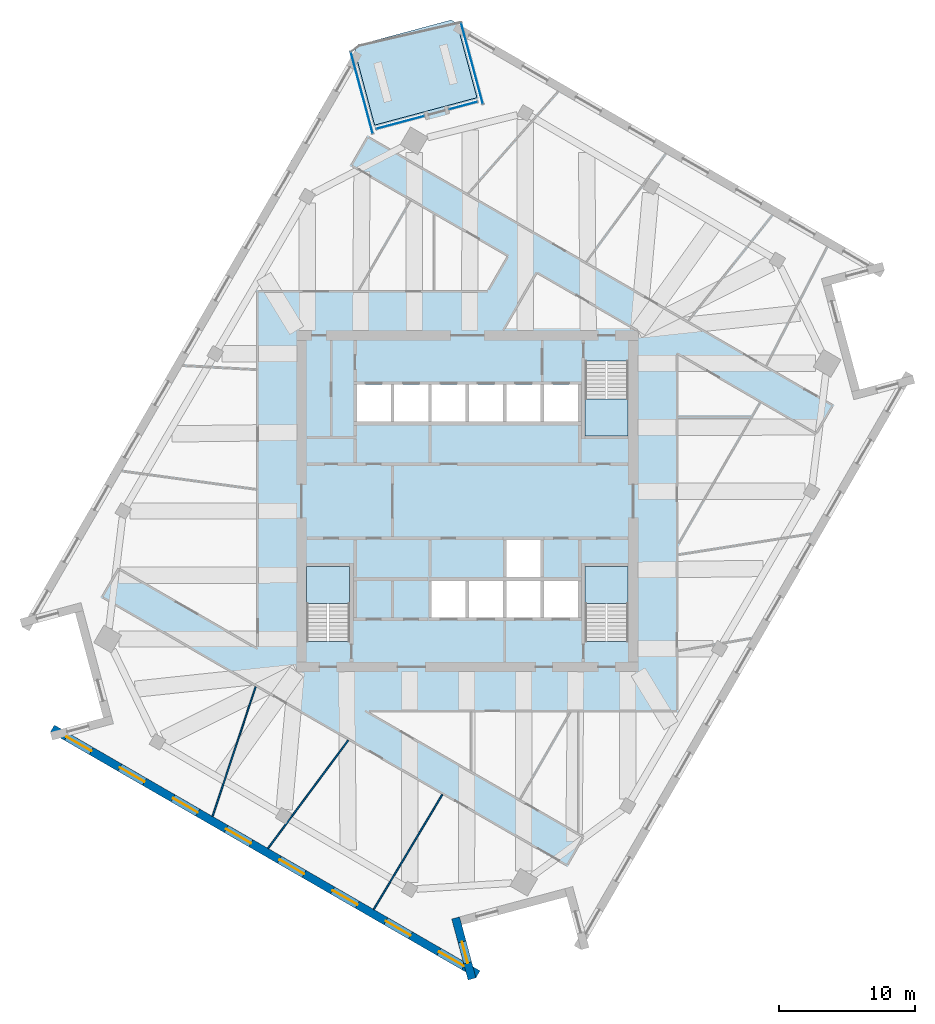
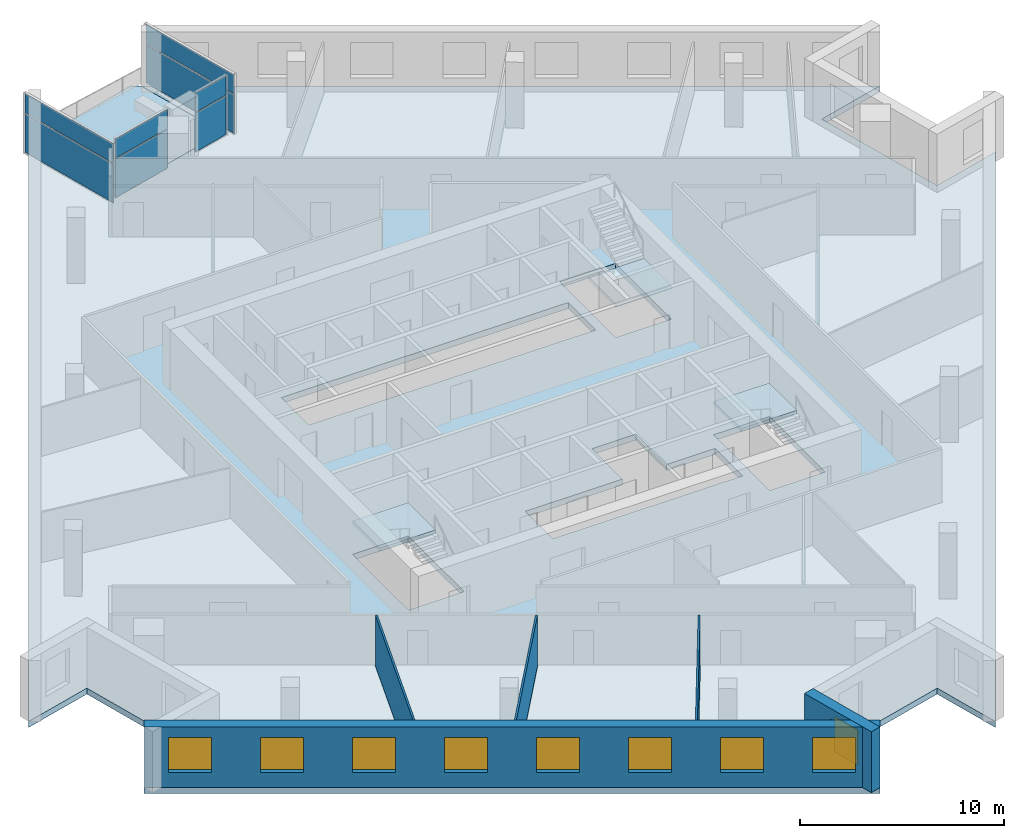
# One storey, part 5 of 13: 9 windows, 8 plates, 5 slabs, 5 walls, 9 openings, 7 elements without a shape of their own.
"""IFC4 building model written with IfcOpenShell, lengths in metres."""

from ifc_helpers import new_model, si_unit, direction, frame, frame_2d, origin, origin_2d, place, context, subcontext, project, spatial, polyline, rectangle, outline, extrude, material, layer, layer_set, type_object, element, fill, aggregate, save


model = new_model("IFC4")

# Units and contexts
model_context = context("Model", 3, precision=1e-05, world=origin(), true_north=direction((0.0, 1.0)))
body_context = subcontext(model_context, "Body", "Model", "MODEL_VIEW")
ifc_project = project(units=[si_unit("LENGTHUNIT", "METRE"), si_unit("AREAUNIT", "SQUARE_METRE"), si_unit("VOLUMEUNIT", "CUBIC_METRE"), si_unit("PLANEANGLEUNIT", "RADIAN"), si_unit("MASSUNIT", "GRAM", prefix="KILO")], contexts=[model_context])

# Site, building, storey
site_placement = place(None, origin())
site = spatial("IfcSite", under=ifc_project, at=site_placement, CompositionType="ELEMENT")
building_placement = place(site_placement, origin())
building = spatial("IfcBuilding", under=site, at=building_placement, Name="Dilmun Exchange Tower", CompositionType="ELEMENT")
storey_placement = place(building_placement, frame((0.0, 0.0, 262.89990234375)))
storey = spatial("IfcBuildingStorey", under=building, at=storey_placement, Name="L62", CompositionType="ELEMENT", Elevation=262.89990234375)

# Stair, slab
ifc_material_1 = material(Name="Concrete C40/50", Category="concrete")
stair_type = type_object("IfcStairType", Name="Exit stair 1500 half-turn", PredefinedType="HALF_TURN_STAIR", material=ifc_material_1)
stair_1_placement = place(storey_placement, origin())
stair_1 = element("IfcStair", 1, at=stair_1_placement, inside=storey, type_object=stair_type, Name="L62 Protected exit stair ST1", PredefinedType="HALF_TURN_STAIR")
ifc_layer_1 = layer(ifc_material_1, 0.199951171875)
ifc_layer_set_1 = layer_set([ifc_layer_1], Name="Concrete C40/50")
slab_type_1 = type_object("IfcSlabType", Name="Exit stair landing 200", PredefinedType="LANDING", material=ifc_layer_set_1)
slab_1_placement = place(storey_placement, frame((0.0, 0.0, 1.800048828125)))
slab_1 = element("IfcSlab", 2, at=slab_1_placement, type_object=slab_type_1, Name="ST1 landing 1", PredefinedType="LANDING", context=body_context, shape_type="SweptSolid", body=[
    extrude(outline(polyline([(8.64990234375, 7.5), (8.64990234375, 4.800048828125), (11.800048828125, 4.800048828125), (11.800048828125, 7.5), (8.64990234375, 7.5)])), origin(), (0.0, 0.0, 1.0), 0.199951171875),
])
aggregate(stair_1, [slab_1])

stair_2_placement = place(storey_placement, origin())
stair_2 = element("IfcStair", 3, at=stair_2_placement, inside=storey, type_object=stair_type, Name="L62 Protected exit stair ST2", PredefinedType="HALF_TURN_STAIR")
slab_2_placement = place(storey_placement, frame((0.0, 0.0, 1.800048828125)))
slab_2 = element("IfcSlab", 4, at=slab_2_placement, type_object=slab_type_1, Name="ST2 landing 1", PredefinedType="LANDING", context=body_context, shape_type="SweptSolid", body=[
    extrude(outline(polyline([(-8.64990234375, -7.5), (-8.64990234375, -4.800048828125), (-11.800048828125, -4.800048828125), (-11.800048828125, -7.5), (-8.64990234375, -7.5)])), origin(), (0.0, 0.0, 1.0), 0.199951171875),
])
aggregate(stair_2, [slab_2])

stair_3_placement = place(storey_placement, origin())
stair_3 = element("IfcStair", 5, at=stair_3_placement, inside=storey, type_object=stair_type, Name="L62 Protected exit stair ST3", PredefinedType="HALF_TURN_STAIR")
slab_3_placement = place(storey_placement, frame((0.0, 0.0, 1.800048828125)))
slab_3 = element("IfcSlab", 6, at=slab_3_placement, type_object=slab_type_1, Name="ST3 landing 1", PredefinedType="LANDING", context=body_context, shape_type="SweptSolid", body=[
    extrude(outline(polyline([(11.800048828125, -7.5), (11.800048828125, -4.800048828125), (8.64990234375, -4.800048828125), (8.64990234375, -7.5), (11.800048828125, -7.5)])), origin(), (0.0, 0.0, 1.0), 0.199951171875),
])
aggregate(stair_3, [slab_3])

# Curtain wall, plates
ifc_material_2 = material(Name="Anodised aluminium and clear glass", Category="aluminium")
curtain_wall_type = type_object("IfcCurtainWallType", Name="Garden corner glazing", PredefinedType="NOTDEFINED", material=ifc_material_2)
curtain_wall_1_placement = place(storey_placement, origin())
curtain_wall_1 = element("IfcCurtainWall", 7, at=curtain_wall_1_placement, inside=storey, type_object=curtain_wall_type, Name="Garden corner glazing run GC1.1", PredefinedType="NOTDEFINED")
ifc_material_3 = material(Name="Clear glass", Category="glass")
ifc_layer_2 = layer(ifc_material_3, 0.028076171875)
ifc_layer_set_2 = layer_set([ifc_layer_2], Name="Clear glass")
plate_type = type_object("IfcPlateType", Name="Garden corner glazing glass panel 28", PredefinedType="CURTAIN_PANEL", material=ifc_layer_set_2)
plate_1_placement = place(storey_placement, frame((0.33642578125, 32.1416015625, 0.06005859375), z_axis=(0.0, 0.0, 1.0), x_axis=(0.258819306883, -0.965925756145, 0.0)))
plate_1 = element("IfcPlate", 8, at=plate_1_placement, type_object=plate_type, Name="GC1.1 panel 1.1", PredefinedType="CURTAIN_PANEL", context=body_context, shape_type="SweptSolid", body=[
    extrude(rectangle(XDim=6.12646484375, YDim=0.028076171875, at=origin_2d()), origin(), (0.0, 0.0, 1.0), 2.31005859375),
])
plate_2_placement = place(storey_placement, frame((0.33642578125, 32.1416015625, 2.43017578125), z_axis=(0.0, 0.0, 1.0), x_axis=(0.258819306883, -0.965925756145, 0.0)))
plate_2 = element("IfcPlate", 9, at=plate_2_placement, type_object=plate_type, Name="GC1.1 panel 1.2", PredefinedType="CURTAIN_PANEL", context=body_context, shape_type="SweptSolid", body=[
    extrude(rectangle(XDim=6.12646484375, YDim=0.028076171875, at=origin_2d()), origin(), (0.0, 0.0, 1.0), 1.14990234375),
])
aggregate(curtain_wall_1, [plate_1, plate_2])

curtain_wall_2_placement = place(storey_placement, origin())
curtain_wall_2 = element("IfcCurtainWall", 10, at=curtain_wall_2_placement, inside=storey, type_object=curtain_wall_type, Name="Garden corner glazing run GC2.1", PredefinedType="NOTDEFINED")
plate_3_placement = place(storey_placement, frame((-0.303955078125, 29.047119140625, 0.06005859375), z_axis=(0.0, 0.0, 1.0), x_axis=(-0.965928116621, -0.258810497317, 0.0)))
plate_3 = element("IfcPlate", 11, at=plate_3_placement, type_object=plate_type, Name="GC2.1 panel 1.1", PredefinedType="CURTAIN_PANEL", context=body_context, shape_type="SweptSolid", body=[
    extrude(rectangle(XDim=2.119140625, YDim=0.028076171875, at=origin_2d()), origin(), (0.0, 0.0, 1.0), 2.31005859375),
])
plate_4_placement = place(storey_placement, frame((-0.303955078125, 29.047119140625, 2.43017578125), z_axis=(0.0, 0.0, 1.0), x_axis=(-0.965928116621, -0.258810497317, 0.0)))
plate_4 = element("IfcPlate", 12, at=plate_4_placement, type_object=plate_type, Name="GC2.1 panel 1.2", PredefinedType="CURTAIN_PANEL", context=body_context, shape_type="SweptSolid", body=[
    extrude(rectangle(XDim=2.119140625, YDim=0.028076171875, at=origin_2d()), origin(), (0.0, 0.0, 1.0), 1.14990234375),
])
aggregate(curtain_wall_2, [plate_3, plate_4])

curtain_wall_3_placement = place(storey_placement, origin())
curtain_wall_3 = element("IfcCurtainWall", 13, at=curtain_wall_3_placement, inside=storey, type_object=curtain_wall_type, Name="Garden corner glazing run GC2.3", PredefinedType="NOTDEFINED")
plate_5_placement = place(storey_placement, frame((-4.929931640625, 27.8076171875, 0.06005859375), z_axis=(0.0, 0.0, 1.0), x_axis=(-0.965927518126, -0.258812731, 0.0)))
plate_5 = element("IfcPlate", 14, at=plate_5_placement, type_object=plate_type, Name="GC2.3 panel 1.1", PredefinedType="CURTAIN_PANEL", context=body_context, shape_type="SweptSolid", body=[
    extrude(rectangle(XDim=3.618896484375, YDim=0.028076171875, at=origin_2d()), origin(), (0.0, 0.0, 1.0), 2.31005859375),
])
plate_6_placement = place(storey_placement, frame((-4.929931640625, 27.8076171875, 2.43017578125), z_axis=(0.0, 0.0, 1.0), x_axis=(-0.965927518126, -0.258812731, 0.0)))
plate_6 = element("IfcPlate", 15, at=plate_6_placement, type_object=plate_type, Name="GC2.3 panel 1.2", PredefinedType="CURTAIN_PANEL", context=body_context, shape_type="SweptSolid", body=[
    extrude(rectangle(XDim=3.618896484375, YDim=0.028076171875, at=origin_2d()), origin(), (0.0, 0.0, 1.0), 1.14990234375),
])
aggregate(curtain_wall_3, [plate_5, plate_6])

curtain_wall_4_placement = place(storey_placement, origin())
curtain_wall_4 = element("IfcCurtainWall", 16, at=curtain_wall_4_placement, inside=storey, type_object=curtain_wall_type, Name="Garden corner glazing run GC3.1", PredefinedType="NOTDEFINED")
plate_7_placement = place(storey_placement, frame((-7.75634765625, 29.97314453125, 0.06005859375), z_axis=(0.0, 0.0, 1.0), x_axis=(-0.258819306883, 0.965925756145, 0.0)))
plate_7 = element("IfcPlate", 17, at=plate_7_placement, type_object=plate_type, Name="GC3.1 panel 1.1", PredefinedType="CURTAIN_PANEL", context=body_context, shape_type="SweptSolid", body=[
    extrude(rectangle(XDim=6.12646484375, YDim=0.028076171875, at=origin_2d()), origin(), (0.0, 0.0, 1.0), 2.31005859375),
])
plate_8_placement = place(storey_placement, frame((-7.75634765625, 29.97314453125, 2.43017578125), z_axis=(0.0, 0.0, 1.0), x_axis=(-0.258819306883, 0.965925756145, 0.0)))
plate_8 = element("IfcPlate", 18, at=plate_8_placement, type_object=plate_type, Name="GC3.1 panel 1.2", PredefinedType="CURTAIN_PANEL", context=body_context, shape_type="SweptSolid", body=[
    extrude(rectangle(XDim=6.12646484375, YDim=0.028076171875, at=origin_2d()), origin(), (0.0, 0.0, 1.0), 1.14990234375),
])
aggregate(curtain_wall_4, [plate_7, plate_8])

# Slabs
ifc_layer_3 = layer(ifc_material_1, 0.360107421875)
ifc_layer_set_3 = layer_set([ifc_layer_3], Name="Concrete C40/50")
slab_type_2 = type_object("IfcSlabType", Name="RC floor slab 360", PredefinedType="FLOOR", material=ifc_layer_set_3)
slab_4_placement = place(storey_placement, frame((0.0, 0.0, -0.35986328125)))
element("IfcSlab", 19, at=slab_4_placement, inside=storey, type_object=slab_type_2, Name="Floor slab", PredefinedType="FLOOR", context=body_context, shape_type="SweptSolid", body=[
    extrude(outline(polyline([(26.727783203125, 15.914794921875), (28.79833984375, 8.187255859375), (32.6962890625, 9.231689453125), (8.353271484375, -32.931884765625), (7.308837890625, -29.03369140625), (-0.418701171875, -31.104248046875), (0.625732421875, -35.002197265625), (-30.625732421875, -16.959228515625), (-26.727783203125, -15.914794921875), (-28.79833984375, -8.187255859375), (-32.6962890625, -9.231689453125), (-8.27490234375, 33.067626953125), (-6.8134765625, 27.613525390625), (0.69970703125, 29.626708984375), (-0.76171875, 35.080810546875), (30.625732421875, 16.959228515625), (26.727783203125, 15.914794921875)]), holes=[polyline([(-8.64990234375, -4.800048828125), (-11.800048828125, -4.800048828125), (-11.800048828125, -10.294921875), (-8.64990234375, -10.294921875), (-8.64990234375, -4.800048828125)]), polyline([(11.800048828125, -4.800048828125), (8.64990234375, -4.800048828125), (8.64990234375, -10.294921875), (11.800048828125, -10.294921875), (11.800048828125, -4.800048828125)]), polyline([(2.875, -5.85009765625), (-2.625, -5.85009765625), (-2.625, -8.550048828125), (8.125, -8.550048828125), (8.125, -5.85009765625), (5.375, -5.85009765625), (5.375, -2.85009765625), (2.875, -2.85009765625), (2.875, -5.85009765625)]), polyline([(8.125, 5.85009765625), (8.125, 8.550048828125), (-8.125, 8.550048828125), (-8.125, 5.85009765625), (8.125, 5.85009765625)]), polyline([(8.64990234375, 10.294921875), (8.64990234375, 4.800048828125), (11.800048828125, 4.800048828125), (11.800048828125, 10.294921875), (8.64990234375, 10.294921875)])]), origin(), (0.0, 0.0, 1.0), 0.35986328125),
])
ifc_layer_4 = layer(ifc_material_1, 0.300048828125)
ifc_layer_set_4 = layer_set([ifc_layer_4], Name="Concrete C40/50")
slab_type_3 = type_object("IfcSlabType", Name="RC garden terrace slab 300", PredefinedType="FLOOR", material=ifc_layer_set_4)
slab_5_placement = place(storey_placement, frame((0.0, 0.0, -0.2998046875)))
element("IfcSlab", 20, at=slab_5_placement, inside=storey, type_object=slab_type_3, Name="Garden terrace slab", PredefinedType="FLOOR", context=body_context, shape_type="SweptSolid", body=[
    extrude(outline(polyline([(-6.8134765625, 27.613525390625), (-8.27490234375, 33.067626953125), (-8.02490234375, 33.50048828125), (-1.194580078125, 35.330810546875), (-0.76171875, 35.080810546875), (0.69970703125, 29.626708984375), (-6.8134765625, 27.613525390625)])), origin(), (0.0, 0.0, 1.0), 0.2998046875),
])

# Walls
ifc_material_4 = material(Name="Partition 100")
ifc_layer_5 = layer(ifc_material_4, 0.10009765625)
ifc_layer_set_5 = layer_set([ifc_layer_5], Name="Partition 100")
wall_type_1 = type_object("IfcWallType", Name="Partition 100", PredefinedType="PARTITIONING", material=ifc_layer_set_5)
wall_1_placement = place(storey_placement, frame((-18.711181640625, -23.142822265625, 0.0), z_axis=(0.0, 0.0, 1.0), x_axis=(0.315197061925, 0.949026244186, 0.0)))
element("IfcWall", 21, at=wall_1_placement, inside=storey, type_object=wall_type_1, Name="Partition", PredefinedType="PARTITIONING", context=body_context, shape_type="SweptSolid", body=[
    extrude(rectangle(XDim=10.021240234375, YDim=0.10009765625, at=frame_2d((5.0107421875, 0.0))), origin(), (0.0, 0.0, 1.0), 3.0400390625),
])
wall_2_placement = place(storey_placement, frame((-14.639892578125, -25.493408203125, 0.0), z_axis=(0.0, 0.0, 1.0), x_axis=(0.596096620962, 0.802912709127, 0.0)))
element("IfcWall", 22, at=wall_2_placement, inside=storey, type_object=wall_type_1, Name="Partition", PredefinedType="PARTITIONING", context=body_context, shape_type="SweptSolid", body=[
    extrude(rectangle(XDim=9.88525390625, YDim=0.10009765625, at=frame_2d((4.942626953125, 0.0))), origin(), (0.0, 0.0, 1.0), 3.0400390625),
])
wall_3_placement = place(storey_placement, frame((-6.87841796875, -29.974609375, 0.0), z_axis=(0.0, 0.0, 1.0), x_axis=(0.512748240754, 0.858539015772, 0.0)))
element("IfcWall", 23, at=wall_3_placement, inside=storey, type_object=wall_type_1, Name="Partition", PredefinedType="PARTITIONING", context=body_context, shape_type="SweptSolid", body=[
    extrude(rectangle(XDim=9.82666015625, YDim=0.10009765625, at=frame_2d((4.913330078125, 0.0))), origin(), (0.0, 0.0, 1.0), 3.0400390625),
])

# Wall, openings, windows
ifc_material_5 = material(Name="Precast concrete C50/60", Category="concrete")
ifc_layer_6 = layer(ifc_material_5, 0.60009765625)
ifc_layer_set_6 = layer_set([ifc_layer_6], Name="Precast concrete C50/60")
wall_type_2 = type_object("IfcWallType", Name="Precast stone-clad wall 600", PredefinedType="STANDARD", material=ifc_layer_set_6)
wall_4_placement = place(storey_placement, frame((-30.475830078125, -16.699462890625, 0.0), z_axis=(0.0, 0.0, 1.0), x_axis=(0.866027969777, -0.499995555543, 0.0)))
wall_4 = element("IfcWall", 24, at=wall_4_placement, inside=storey, type_object=wall_type_2, Name="Facade wall L62-07", PredefinedType="STANDARD", context=body_context, shape_type="SweptSolid", body=[
    extrude(rectangle(XDim=36.086181640625, YDim=0.60009765625, at=frame_2d((18.04296875, 0.0))), origin(), (0.0, 0.0, 1.0), 3.64013671875),
])
opening_1_placement = place(wall_4_placement, frame((1.205322265625, 0.0, 0.89990234375)))
opening_1 = element("IfcOpeningElement", 25, at=opening_1_placement, cuts=wall_4, Name="Opening W210-210", PredefinedType="OPENING", context=body_context, shape_type="SweptSolid", body=[
    extrude(rectangle(XDim=2.10009765625, YDim=2.10009765625, at=frame_2d((1.050048828125, 1.050048828125))), frame((0.0, 0.31005859375, 0.0), z_axis=(0.0, -1.0, 0.0), x_axis=(1.0, 0.0, 0.0)), (0.0, 0.0, 1.0), 0.6201171875),
])
opening_2_placement = place(wall_4_placement, frame((5.71630859375, 0.0, 0.89990234375)))
opening_2 = element("IfcOpeningElement", 26, at=opening_2_placement, cuts=wall_4, Name="Opening W210-210", PredefinedType="OPENING", context=body_context, shape_type="SweptSolid", body=[
    extrude(rectangle(XDim=2.10009765625, YDim=2.10009765625, at=frame_2d((1.050048828125, 1.050048828125))), frame((0.0, 0.31005859375, 0.0), z_axis=(0.0, -1.0, 0.0), x_axis=(1.0, 0.0, 0.0)), (0.0, 0.0, 1.0), 0.6201171875),
])
opening_3_placement = place(wall_4_placement, frame((10.22705078125, 0.0, 0.89990234375)))
opening_3 = element("IfcOpeningElement", 27, at=opening_3_placement, cuts=wall_4, Name="Opening W210-210", PredefinedType="OPENING", context=body_context, shape_type="SweptSolid", body=[
    extrude(rectangle(XDim=2.10009765625, YDim=2.10009765625, at=frame_2d((1.050048828125, 1.050048828125))), frame((0.0, 0.31005859375, 0.0), z_axis=(0.0, -1.0, 0.0), x_axis=(1.0, 0.0, 0.0)), (0.0, 0.0, 1.0), 0.6201171875),
])
opening_4_placement = place(wall_4_placement, frame((14.73779296875, 0.0, 0.89990234375)))
opening_4 = element("IfcOpeningElement", 28, at=opening_4_placement, cuts=wall_4, Name="Opening W210-210", PredefinedType="OPENING", context=body_context, shape_type="SweptSolid", body=[
    extrude(rectangle(XDim=2.10009765625, YDim=2.10009765625, at=frame_2d((1.050048828125, 1.050048828125))), frame((0.0, 0.31005859375, 0.0), z_axis=(0.0, -1.0, 0.0), x_axis=(1.0, 0.0, 0.0)), (0.0, 0.0, 1.0), 0.6201171875),
])
opening_5_placement = place(wall_4_placement, frame((19.24853515625, 0.0, 0.89990234375)))
opening_5 = element("IfcOpeningElement", 29, at=opening_5_placement, cuts=wall_4, Name="Opening W210-210", PredefinedType="OPENING", context=body_context, shape_type="SweptSolid", body=[
    extrude(rectangle(XDim=2.10009765625, YDim=2.10009765625, at=frame_2d((1.050048828125, 1.050048828125))), frame((0.0, 0.31005859375, 0.0), z_axis=(0.0, -1.0, 0.0), x_axis=(1.0, 0.0, 0.0)), (0.0, 0.0, 1.0), 0.6201171875),
])
opening_6_placement = place(wall_4_placement, frame((23.75927734375, 0.0, 0.89990234375)))
opening_6 = element("IfcOpeningElement", 30, at=opening_6_placement, cuts=wall_4, Name="Opening W210-210", PredefinedType="OPENING", context=body_context, shape_type="SweptSolid", body=[
    extrude(rectangle(XDim=2.10009765625, YDim=2.10009765625, at=frame_2d((1.050048828125, 1.050048828125))), frame((0.0, 0.31005859375, 0.0), z_axis=(0.0, -1.0, 0.0), x_axis=(1.0, 0.0, 0.0)), (0.0, 0.0, 1.0), 0.6201171875),
])
opening_7_placement = place(wall_4_placement, frame((28.27001953125, 0.0, 0.89990234375)))
opening_7 = element("IfcOpeningElement", 31, at=opening_7_placement, cuts=wall_4, Name="Opening W210-210", PredefinedType="OPENING", context=body_context, shape_type="SweptSolid", body=[
    extrude(rectangle(XDim=2.10009765625, YDim=2.10009765625, at=frame_2d((1.050048828125, 1.050048828125))), frame((0.0, 0.31005859375, 0.0), z_axis=(0.0, -1.0, 0.0), x_axis=(1.0, 0.0, 0.0)), (0.0, 0.0, 1.0), 0.6201171875),
])
opening_8_placement = place(wall_4_placement, frame((32.781005859375, 0.0, 0.89990234375)))
opening_8 = element("IfcOpeningElement", 32, at=opening_8_placement, cuts=wall_4, Name="Opening W210-210", PredefinedType="OPENING", context=body_context, shape_type="SweptSolid", body=[
    extrude(rectangle(XDim=2.10009765625, YDim=2.10009765625, at=frame_2d((1.050048828125, 1.050048828125))), frame((0.0, 0.31005859375, 0.0), z_axis=(0.0, -1.0, 0.0), x_axis=(1.0, 0.0, 0.0)), (0.0, 0.0, 1.0), 0.6201171875),
])
ifc_material_6 = material(Name="Clear low-emissivity glass in aluminium frame", Category="aluminium")
window_type_1 = type_object("IfcWindowType", Name="Punched window 2100 x 2100", PartitioningType="DOUBLE_PANEL_VERTICAL", PredefinedType="WINDOW", material=ifc_material_6)
window_1_placement = place(opening_1_placement, origin())
window_1 = element("IfcWindow", 33, at=window_1_placement, inside=storey, type_object=window_type_1, Name="Window 8.1", OverallHeight=2.10009765625, OverallWidth=2.10009765625, PartitioningType="SINGLE_PANEL", PredefinedType="WINDOW", context=body_context, shape_type="SweptSolid", body=[
    extrude(rectangle(XDim=2.10009765625, YDim=2.10009765625, at=frame_2d((1.050048828125, 1.050048828125))), frame((0.0, 0.030029296875, 0.0), z_axis=(0.0, -1.0, 0.0), x_axis=(1.0, 0.0, 0.0)), (0.0, 0.0, 1.0), 0.06005859375),
])
fill(opening_1, window_1)
window_2_placement = place(opening_2_placement, origin())
window_2 = element("IfcWindow", 34, at=window_2_placement, inside=storey, type_object=window_type_1, Name="Window 8.2", OverallHeight=2.10009765625, OverallWidth=2.10009765625, PartitioningType="SINGLE_PANEL", PredefinedType="WINDOW", context=body_context, shape_type="SweptSolid", body=[
    extrude(rectangle(XDim=2.10009765625, YDim=2.10009765625, at=frame_2d((1.050048828125, 1.050048828125))), frame((0.0, 0.030029296875, 0.0), z_axis=(0.0, -1.0, 0.0), x_axis=(1.0, 0.0, 0.0)), (0.0, 0.0, 1.0), 0.06005859375),
])
fill(opening_2, window_2)
window_3_placement = place(opening_3_placement, origin())
window_3 = element("IfcWindow", 35, at=window_3_placement, inside=storey, type_object=window_type_1, Name="Window 8.3", OverallHeight=2.10009765625, OverallWidth=2.10009765625, PartitioningType="SINGLE_PANEL", PredefinedType="WINDOW", context=body_context, shape_type="SweptSolid", body=[
    extrude(rectangle(XDim=2.10009765625, YDim=2.10009765625, at=frame_2d((1.050048828125, 1.050048828125))), frame((0.0, 0.030029296875, 0.0), z_axis=(0.0, -1.0, 0.0), x_axis=(1.0, 0.0, 0.0)), (0.0, 0.0, 1.0), 0.06005859375),
])
fill(opening_3, window_3)
window_4_placement = place(opening_4_placement, origin())
window_4 = element("IfcWindow", 36, at=window_4_placement, inside=storey, type_object=window_type_1, Name="Window 8.4", OverallHeight=2.10009765625, OverallWidth=2.10009765625, PartitioningType="SINGLE_PANEL", PredefinedType="WINDOW", context=body_context, shape_type="SweptSolid", body=[
    extrude(rectangle(XDim=2.10009765625, YDim=2.10009765625, at=frame_2d((1.050048828125, 1.050048828125))), frame((0.0, 0.030029296875, 0.0), z_axis=(0.0, -1.0, 0.0), x_axis=(1.0, 0.0, 0.0)), (0.0, 0.0, 1.0), 0.06005859375),
])
fill(opening_4, window_4)
window_5_placement = place(opening_5_placement, origin())
window_5 = element("IfcWindow", 37, at=window_5_placement, inside=storey, type_object=window_type_1, Name="Window 8.5", OverallHeight=2.10009765625, OverallWidth=2.10009765625, PartitioningType="SINGLE_PANEL", PredefinedType="WINDOW", context=body_context, shape_type="SweptSolid", body=[
    extrude(rectangle(XDim=2.10009765625, YDim=2.10009765625, at=frame_2d((1.050048828125, 1.050048828125))), frame((0.0, 0.030029296875, 0.0), z_axis=(0.0, -1.0, 0.0), x_axis=(1.0, 0.0, 0.0)), (0.0, 0.0, 1.0), 0.06005859375),
])
fill(opening_5, window_5)
window_6_placement = place(opening_6_placement, origin())
window_6 = element("IfcWindow", 38, at=window_6_placement, inside=storey, type_object=window_type_1, Name="Window 8.6", OverallHeight=2.10009765625, OverallWidth=2.10009765625, PartitioningType="SINGLE_PANEL", PredefinedType="WINDOW", context=body_context, shape_type="SweptSolid", body=[
    extrude(rectangle(XDim=2.10009765625, YDim=2.10009765625, at=frame_2d((1.050048828125, 1.050048828125))), frame((0.0, 0.030029296875, 0.0), z_axis=(0.0, -1.0, 0.0), x_axis=(1.0, 0.0, 0.0)), (0.0, 0.0, 1.0), 0.06005859375),
])
fill(opening_6, window_6)
window_7_placement = place(opening_7_placement, origin())
window_7 = element("IfcWindow", 39, at=window_7_placement, inside=storey, type_object=window_type_1, Name="Window 8.7", OverallHeight=2.10009765625, OverallWidth=2.10009765625, PartitioningType="SINGLE_PANEL", PredefinedType="WINDOW", context=body_context, shape_type="SweptSolid", body=[
    extrude(rectangle(XDim=2.10009765625, YDim=2.10009765625, at=frame_2d((1.050048828125, 1.050048828125))), frame((0.0, 0.030029296875, 0.0), z_axis=(0.0, -1.0, 0.0), x_axis=(1.0, 0.0, 0.0)), (0.0, 0.0, 1.0), 0.06005859375),
])
fill(opening_7, window_7)
window_8_placement = place(opening_8_placement, origin())
window_8 = element("IfcWindow", 40, at=window_8_placement, inside=storey, type_object=window_type_1, Name="Window 8.8", OverallHeight=2.10009765625, OverallWidth=2.10009765625, PartitioningType="SINGLE_PANEL", PredefinedType="WINDOW", context=body_context, shape_type="SweptSolid", body=[
    extrude(rectangle(XDim=2.10009765625, YDim=2.10009765625, at=frame_2d((1.050048828125, 1.050048828125))), frame((0.0, 0.030029296875, 0.0), z_axis=(0.0, -1.0, 0.0), x_axis=(1.0, 0.0, 0.0)), (0.0, 0.0, 1.0), 0.06005859375),
])
fill(opening_8, window_8)

# Wall, opening, window
wall_5_placement = place(storey_placement, frame((0.3359375, -35.080078125, 0.0), z_axis=(0.0, 0.0, 1.0), x_axis=(-0.258796631638, 0.96593183168, 0.0)))
wall_5 = element("IfcWall", 41, at=wall_5_placement, inside=storey, type_object=wall_type_2, Name="Facade wall L62-08", PredefinedType="STANDARD", context=body_context, shape_type="SweptSolid", body=[
    extrude(rectangle(XDim=4.6357421875, YDim=0.60009765625, at=frame_2d((2.31787109375, 0.0))), origin(), (0.0, 0.0, 1.0), 3.64013671875),
])
opening_9_placement = place(wall_5_placement, frame((1.2177734375, 0.0, 0.89990234375)))
opening_9 = element("IfcOpeningElement", 42, at=opening_9_placement, cuts=wall_5, Name="Opening W160-210", PredefinedType="OPENING", context=body_context, shape_type="SweptSolid", body=[
    extrude(rectangle(XDim=1.60009765625, YDim=2.10009765625, at=frame_2d((0.800048828125, 1.050048828125))), frame((0.0, 0.31005859375, 0.0), z_axis=(0.0, -1.0, 0.0), x_axis=(1.0, 0.0, 0.0)), (0.0, 0.0, 1.0), 0.6201171875),
])
window_type_2 = type_object("IfcWindowType", Name="Punched window 1600 x 2100", PartitioningType="DOUBLE_PANEL_VERTICAL", PredefinedType="WINDOW", material=ifc_material_6)
window_9_placement = place(opening_9_placement, origin())
window_9 = element("IfcWindow", 43, at=window_9_placement, inside=storey, type_object=window_type_2, Name="Window 9.1", OverallHeight=2.10009765625, OverallWidth=1.60009765625, PartitioningType="SINGLE_PANEL", PredefinedType="WINDOW", context=body_context, shape_type="SweptSolid", body=[
    extrude(rectangle(XDim=1.60009765625, YDim=2.10009765625, at=frame_2d((0.800048828125, 1.050048828125))), frame((0.0, 0.030029296875, 0.0), z_axis=(0.0, -1.0, 0.0), x_axis=(1.0, 0.0, 0.0)), (0.0, 0.0, 1.0), 0.06005859375),
])
fill(opening_9, window_9)

save(model, "model.ifc")
